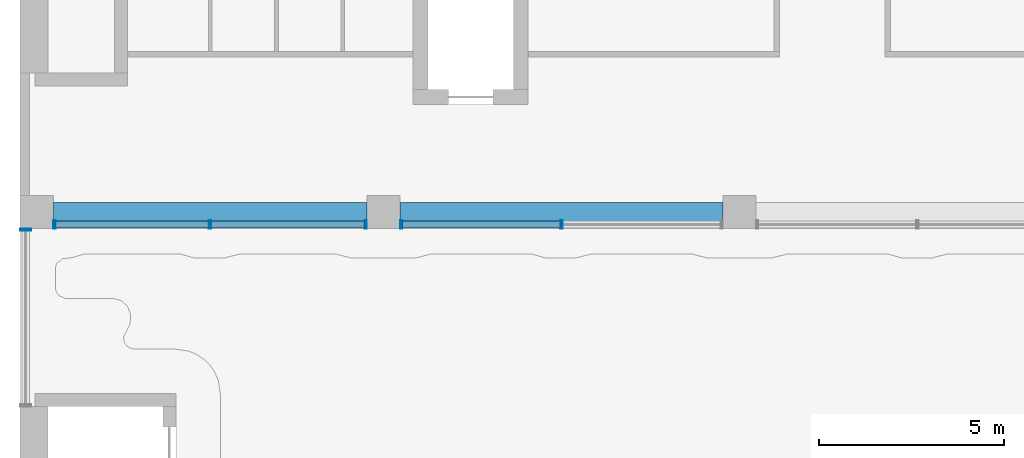
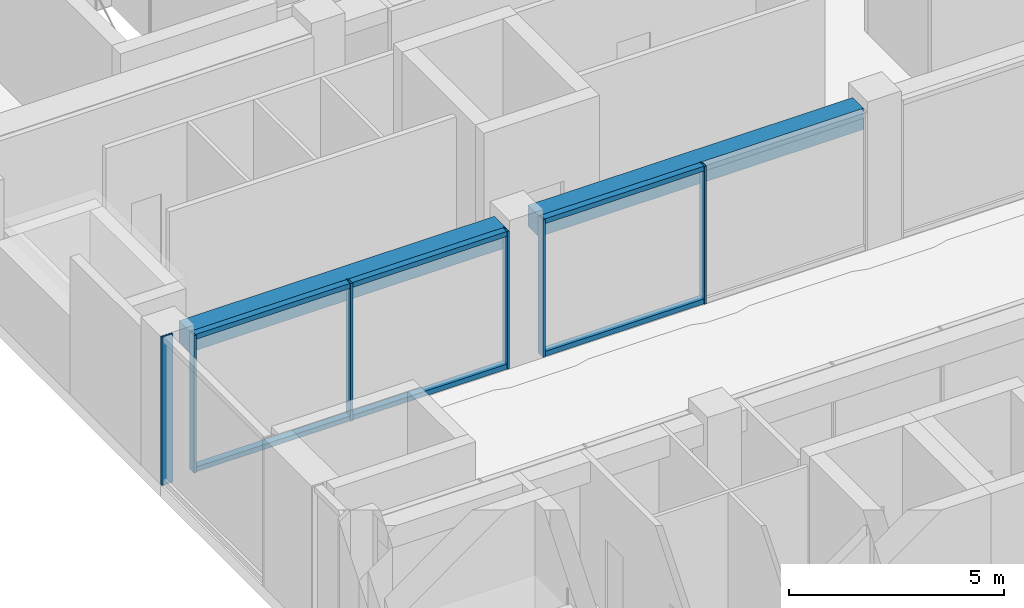
# One storey, part 8 of 72: 12 members, 2 beams, 3 elements without a shape of their own.
"""IFC4 building model written with IfcOpenShell, lengths in metres."""

import ifcopenshell
import ifcopenshell.guid

model = None  # the IFC model being written
_history = None  # IfcOwnerHistory: only IFC2X3 demands one
_inside = {}  # id of a spatial element -> (the spatial element, [elements in it])
_under = {}  # id of a project, library or spatial element -> (it, [spatial elements below it])
_declared = {}  # id of a project -> (the project, [libraries it declares])
_typed = {}  # id of a type object -> (the type object, [elements of that type])
_made_of = {}  # id of a material, layer set ... -> (it, [elements and type objects made of it])


def new_model(schema):
    """Start an empty IFC model of exactly this schema.

    Asked for "IFC4X3", IfcOpenShell would pick the latest addendum, in which some entities
    have other attributes; the version numbers below select the first issue.
    IFC2X3 requires an IfcOwnerHistory on every rooted entity: one is made here for all.
    """
    global model, _history
    if schema == "IFC4X3":
        model = ifcopenshell.file(schema_version=(4, 3, 0, 0))
    else:
        model = ifcopenshell.file(schema=schema)
    _inside.clear()
    _under.clear()
    _declared.clear()
    _typed.clear()
    _made_of.clear()
    _history = None
    if model.schema == "IFC2X3":
        org = make("IfcOrganization", Name="unknown")
        user = make(
            "IfcPersonAndOrganization",
            ThePerson=make("IfcPerson", FamilyName="unknown"),
            TheOrganization=org,
        )
        app = make(
            "IfcApplication",
            ApplicationDeveloper=org,
            Version="unknown",
            ApplicationFullName="unknown",
            ApplicationIdentifier="unknown",
        )
        _history = make(
            "IfcOwnerHistory",
            OwningUser=user,
            OwningApplication=app,
            ChangeAction="ADDED",
            CreationDate=0,
        )
    return model


def make(cls, **values):
    """One entity of the class cls with the attributes given. An attribute that is None is left unset."""
    return model.create_entity(
        cls, **{name: value for name, value in values.items() if value is not None}
    )


def rooted(cls, **values):
    """An entity with a GlobalId (a new one), such as an element, a storey or a relation."""
    return make(cls, GlobalId=ifcopenshell.guid.new(), OwnerHistory=_history, **values)


def si_unit(unit_type, name, prefix=None):
    """IfcSIUnit, for example si_unit("LENGTHUNIT", "METRE", prefix="MILLI")."""
    return make("IfcSIUnit", UnitType=unit_type, Prefix=prefix, Name=name)


def assignment(units):
    """IfcUnitAssignment: the units of a project."""
    return None if units is None else make("IfcUnitAssignment", Units=units)


def point(xyz):
    """IfcCartesianPoint."""
    return None if xyz is None else make("IfcCartesianPoint", Coordinates=xyz)


def direction(xyz):
    """IfcDirection."""
    return None if xyz is None else make("IfcDirection", DirectionRatios=xyz)


def frame(location, z_axis=None, x_axis=None):
    """IfcAxis2Placement3D, a coordinate frame: its origin and axes. An axis left out is left unset."""
    return make(
        "IfcAxis2Placement3D",
        Location=point(location),
        Axis=direction(z_axis),
        RefDirection=direction(x_axis),
    )


def frame_2d(location, x_axis=None):
    """IfcAxis2Placement2D, a coordinate frame in the plane: its origin and x axis."""
    return make(
        "IfcAxis2Placement2D", Location=point(location), RefDirection=direction(x_axis)
    )


def origin():
    """The frame at (0, 0, 0) with its axes left unset."""
    return frame((0.0, 0.0, 0.0))


def origin_2d():
    """The frame at (0, 0) in the plane with its x axis left unset."""
    return frame_2d((0.0, 0.0))


def place(relative_to, where):
    """IfcLocalPlacement: puts the frame where relative to a parent placement (None: the world)."""
    return make(
        "IfcLocalPlacement", PlacementRelTo=relative_to, RelativePlacement=where
    )


def context(
    kind, dimensions, precision=None, world=None, true_north=None, identifier=None
):
    """IfcGeometricRepresentationContext, for example the 3D "Model" context."""
    return make(
        "IfcGeometricRepresentationContext",
        ContextIdentifier=identifier,
        ContextType=kind,
        CoordinateSpaceDimension=dimensions,
        Precision=precision,
        WorldCoordinateSystem=world,
        TrueNorth=true_north,
    )


def subcontext(parent, identifier, kind, view, scale=None):
    """IfcGeometricRepresentationSubContext, for example "Body" below "Model"."""
    return make(
        "IfcGeometricRepresentationSubContext",
        ContextIdentifier=identifier,
        ContextType=kind,
        ParentContext=parent,
        TargetScale=scale,
        TargetView=view,
    )


def project(units=None, contexts=None):
    """IfcProject with its units and contexts."""
    return rooted(
        "IfcProject",
        Name="project",
        RepresentationContexts=contexts,
        UnitsInContext=assignment(units),
    )


def spatial(cls, under=None, at=None, **own):
    """A site, building, storey or space (cls), placed at a placement, below another one or the project."""
    s = rooted(cls, ObjectPlacement=at, **own)
    if under is not None:
        _under.setdefault(under.id(), (under, []))[1].append(s)
    return s


def profile(cls, at=None, kind="AREA", **sizes):
    """A parametric profile (cls). Its sizes go by their IFC names, for example OverallWidth=200.0."""
    return make(cls, ProfileType=kind, Position=at, **sizes)


def rectangle(**sizes):
    """IfcRectangleProfileDef."""
    return profile("IfcRectangleProfileDef", **sizes)


def hollow_rectangle(**sizes):
    """IfcRectangleHollowProfileDef."""
    return profile("IfcRectangleHollowProfileDef", **sizes)


def extrude(swept, where, along, depth):
    """IfcExtrudedAreaSolid: the profile swept, set in the frame where, extruded along a direction by depth."""
    return make(
        "IfcExtrudedAreaSolid",
        SweptArea=swept,
        Position=where,
        ExtrudedDirection=direction(along),
        Depth=depth,
    )


def shape(context_of_items, identifier, shape_type, items):
    """IfcShapeRepresentation: the items that make up one representation, for example the "Body"."""
    return make(
        "IfcShapeRepresentation",
        ContextOfItems=context_of_items,
        RepresentationIdentifier=identifier,
        RepresentationType=shape_type,
        Items=items,
    )


def material(Name=None, Category=None):
    """IfcMaterial."""
    return make("IfcMaterial", Name=Name, Category=Category)


def layer(
    of_material, thickness, ventilated=None, Name=None, Category=None, Priority=None
):
    """IfcMaterialLayer: one layer of a wall or slab, of a material (None: an air gap)."""
    return make(
        "IfcMaterialLayer",
        Material=of_material,
        LayerThickness=thickness,
        IsVentilated=ventilated,
        Name=Name,
        Category=Category,
        Priority=Priority,
    )


def layer_set(layers, Name=None):
    """IfcMaterialLayerSet."""
    return make("IfcMaterialLayerSet", MaterialLayers=layers, LayerSetName=Name)


def material_profile(
    of_material, cross_section, Name=None, Category=None, Priority=None
):
    """IfcMaterialProfile: a cross section and its material."""
    return make(
        "IfcMaterialProfile",
        Name=Name,
        Material=of_material,
        Profile=cross_section,
        Priority=Priority,
        Category=Category,
    )


def profile_set(profiles, Name=None, composite=None):
    """IfcMaterialProfileSet."""
    return make(
        "IfcMaterialProfileSet",
        Name=Name,
        MaterialProfiles=profiles,
        CompositeProfile=composite,
    )


def made_of(thing, what):
    """Note that an element or type object is made of a material, layer set ...; save() writes the relation."""
    if what is not None:
        _made_of.setdefault(what.id(), (what, []))[1].append(thing)
    return thing


def type_object(cls, material=None, **own):
    """A type object (cls), such as IfcWallType, which elements share."""
    return made_of(rooted(cls, **own), material)


def element(
    cls,
    number,
    at=None,
    inside=None,
    cuts=None,
    type_object=None,
    material=None,
    context=None,
    identifier="Body",
    shape_type=None,
    held_by="IfcProductDefinitionShape",
    body=None,
    shapes=None,
    **own,
):
    """One element of the class cls, such as IfcWall. Its Tag is "e" and its number.

    at: its placement. inside: the storey or other place that contains it. cuts: it is an
    opening in that element (IfcRelVoidsElement). A single representation is given by context,
    identifier, shape_type and body (its items); several are given by shapes. held_by: the class
    of the entity that holds the representations. save() writes the other relations.
    """
    e = rooted(cls, Tag="e%d" % number, ObjectPlacement=at, **own)
    if body is not None:
        shapes = [shape(context, identifier, shape_type, body)]
    if shapes is not None:
        e.Representation = make(held_by, Representations=shapes)
    if inside is not None:
        _inside.setdefault(inside.id(), (inside, []))[1].append(e)
    if cuts is not None:
        rooted(
            "IfcRelVoidsElement", RelatingBuildingElement=cuts, RelatedOpeningElement=e
        )
    if type_object is not None:
        _typed.setdefault(type_object.id(), (type_object, []))[1].append(e)
    return made_of(e, material)


def aggregate(whole, parts):
    """IfcRelAggregates: a whole, such as a stair, and the parts it consists of."""
    return rooted("IfcRelAggregates", RelatingObject=whole, RelatedObjects=parts)


def save(model, path):
    """Write the relations noted so far, then the file.

    IfcRelAggregates (storeys below a building ...), IfcRelContainedInSpatialStructure (elements
    in a storey), IfcRelDefinesByType, IfcRelAssociatesMaterial and IfcRelDeclares: one each for
    every whole, place, type object, material and project.
    """
    for whole, parts in _under.values():
        aggregate(whole, parts)
    for where, things in _inside.values():
        rooted(
            "IfcRelContainedInSpatialStructure",
            RelatedElements=things,
            RelatingStructure=where,
        )
    for kind, things in _typed.values():
        rooted("IfcRelDefinesByType", RelatedObjects=things, RelatingType=kind)
    for what, things in _made_of.values():
        rooted("IfcRelAssociatesMaterial", RelatedObjects=things, RelatingMaterial=what)
    for by, libraries in _declared.values():
        rooted("IfcRelDeclares", RelatingContext=by, RelatedDefinitions=libraries)
    model.write(path)


model = new_model("IFC4")

# Units and contexts
model_context = context("Model", 3, precision=1e-05, world=origin(), true_north=direction((0.0, 1.0)))
body_context = subcontext(model_context, "Body", "Model", "MODEL_VIEW")
ifc_project = project(units=[si_unit("LENGTHUNIT", "METRE"), si_unit("AREAUNIT", "SQUARE_METRE"), si_unit("VOLUMEUNIT", "CUBIC_METRE"), si_unit("PLANEANGLEUNIT", "RADIAN"), si_unit("MASSUNIT", "GRAM", prefix="KILO")], contexts=[model_context])

# Site, building, storey
site_placement = place(None, origin())
site = spatial("IfcSite", under=ifc_project, at=site_placement, CompositionType="ELEMENT")
building_placement = place(site_placement, origin())
building = spatial("IfcBuilding", under=site, at=building_placement, Name="Nzadi Deep Aquarium and Research Tower", CompositionType="ELEMENT")
storey_placement = place(building_placement, frame((0.0, 0.0, 31.89990234375)))
storey = spatial("IfcBuildingStorey", under=building, at=storey_placement, Name="L05", CompositionType="ELEMENT", Elevation=31.89990234375)

# Curtain wall, members
ifc_material_1 = material(Name="Aluminium unitised frame deep", Category="aluminium")
ifc_layer_1 = layer(ifc_material_1, 0.22509765625)
ifc_layer_set_1 = layer_set([ifc_layer_1], Name="Aluminium unitised frame deep")
curtain_wall_type_1 = type_object("IfcCurtainWallType", Name="Curtain wall Unitised Deep 225", PredefinedType="NOTDEFINED", material=ifc_layer_set_1)
curtain_wall_1_placement = place(storey_placement, origin())
curtain_wall_1 = element("IfcCurtainWall", 1, at=curtain_wall_1_placement, inside=storey, type_object=curtain_wall_type_1, Name="Unitised curtain wall blade B south L05", PredefinedType="NOTDEFINED")
ifc_material_2 = material(Name="Aluminium unitised frame deep", Category="aluminium")
ifc_material_profile_1 = material_profile(ifc_material_2, hollow_rectangle(XDim=0.22509765625, YDim=0.06005859375, WallThickness=0.0048828125, at=origin_2d()))
ifc_profile_set_1 = profile_set([ifc_material_profile_1], Name="Aluminium unitised frame deep")
member_type_1 = type_object("IfcMemberType", Name="Mullion 60x225 Unitised Deep", PredefinedType="MULLION", material=ifc_profile_set_1)
member_1_placement = place(storey_placement, frame((0.72998046875, 27.262451171875, 0.0), z_axis=(0.0, 0.0, 1.0), x_axis=(0.0, 1.0, 0.0)))
member_1 = element("IfcMember", 2, at=member_1_placement, type_object=member_type_1, Name="CW078 mullion 1", PredefinedType="MULLION", context=body_context, shape_type="SweptSolid", body=[
    extrude(hollow_rectangle(XDim=0.22509765625, YDim=0.06005859375, WallThickness=0.0048828125, at=origin_2d()), origin(), (0.0, 0.0, 1.0), 3.900146484375),
])
member_2_placement = place(storey_placement, frame((4.925048828125, 27.262451171875, 0.0), z_axis=(0.0, 0.0, 1.0), x_axis=(0.0, 1.0, 0.0)))
member_2 = element("IfcMember", 3, at=member_2_placement, type_object=member_type_1, Name="CW078 mullion 2", PredefinedType="MULLION", context=body_context, shape_type="SweptSolid", body=[
    extrude(hollow_rectangle(XDim=0.22509765625, YDim=0.06005859375, WallThickness=0.0048828125, at=origin_2d()), origin(), (0.0, 0.0, 1.0), 3.900146484375),
])
member_3_placement = place(storey_placement, frame((9.1201171875, 27.262451171875, 0.0), z_axis=(0.0, 0.0, 1.0), x_axis=(0.0, 1.0, 0.0)))
member_3 = element("IfcMember", 4, at=member_3_placement, type_object=member_type_1, Name="CW078 mullion 3", PredefinedType="MULLION", context=body_context, shape_type="SweptSolid", body=[
    extrude(hollow_rectangle(XDim=0.22509765625, YDim=0.06005859375, WallThickness=0.0048828125, at=origin_2d()), origin(), (0.0, 0.0, 1.0), 3.900146484375),
])

curtain_wall_2_placement = place(storey_placement, origin())
curtain_wall_2 = element("IfcCurtainWall", 5, at=curtain_wall_2_placement, inside=storey, type_object=curtain_wall_type_1, Name="Unitised curtain wall blade B south L05", PredefinedType="NOTDEFINED")
member_4_placement = place(storey_placement, frame((10.080078125, 27.262451171875, 0.0), z_axis=(0.0, 0.0, 1.0), x_axis=(0.0, 1.0, 0.0)))
member_4 = element("IfcMember", 6, at=member_4_placement, type_object=member_type_1, Name="CW079 mullion 1", PredefinedType="MULLION", context=body_context, shape_type="SweptSolid", body=[
    extrude(hollow_rectangle(XDim=0.22509765625, YDim=0.06005859375, WallThickness=0.0048828125, at=origin_2d()), origin(), (0.0, 0.0, 1.0), 3.900146484375),
])
member_5_placement = place(storey_placement, frame((14.39990234375, 27.262451171875, 0.0), z_axis=(0.0, 0.0, 1.0), x_axis=(0.0, 1.0, 0.0)))
member_5 = element("IfcMember", 7, at=member_5_placement, type_object=member_type_1, Name="CW079 mullion 2", PredefinedType="MULLION", context=body_context, shape_type="SweptSolid", body=[
    extrude(hollow_rectangle(XDim=0.22509765625, YDim=0.06005859375, WallThickness=0.0048828125, at=origin_2d()), origin(), (0.0, 0.0, 1.0), 3.900146484375),
])

# Curtain wall, member
ifc_material_3 = material(Name="Aluminium unitised frame wind post", Category="aluminium")
ifc_layer_2 = layer(ifc_material_3, 0.300048828125)
ifc_layer_set_2 = layer_set([ifc_layer_2], Name="Aluminium unitised frame wind post")
curtain_wall_type_2 = type_object("IfcCurtainWallType", Name="Curtain wall Slot End 300", PredefinedType="NOTDEFINED", material=ifc_layer_set_2)
curtain_wall_3_placement = place(storey_placement, origin())
curtain_wall_3 = element("IfcCurtainWall", 8, at=curtain_wall_3_placement, inside=storey, type_object=curtain_wall_type_2, Name="Glazed slot end west L05", PredefinedType="NOTDEFINED")
ifc_material_4 = material(Name="Aluminium unitised frame wind post", Category="aluminium")
ifc_material_profile_2 = material_profile(ifc_material_4, hollow_rectangle(XDim=0.300048828125, YDim=0.06005859375, WallThickness=0.0048828125, at=origin_2d()))
ifc_profile_set_2 = profile_set([ifc_material_profile_2], Name="Aluminium unitised frame wind post")
member_type_2 = type_object("IfcMemberType", Name="Mullion 60x300 Slot End", PredefinedType="MULLION", material=ifc_profile_set_2)
member_6_placement = place(storey_placement, frame((-0.049560546875, 27.1201171875, 0.0), z_axis=(0.0, 0.0, 1.0), x_axis=(-1.0, 0.0, 0.0)))
member_6 = element("IfcMember", 9, at=member_6_placement, type_object=member_type_2, Name="CW201 mullion 2", PredefinedType="MULLION", context=body_context, shape_type="SweptSolid", body=[
    extrude(hollow_rectangle(XDim=0.300048828125, YDim=0.06005859375, WallThickness=0.0048828125, at=origin_2d()), origin(), (0.0, 0.0, 1.0), 4.2001953125),
])
aggregate(curtain_wall_3, [member_6])

# Beams
ifc_material_5 = material(Name="Concrete C35/45", Category="concrete")
ifc_material_profile_3 = material_profile(ifc_material_5, rectangle(XDim=0.5, YDim=0.60009765625, at=origin_2d()))
ifc_profile_set_3 = profile_set([ifc_material_profile_3], Name="Concrete C35/45")
beam_type = type_object("IfcBeamType", Name="RC 500x600", PredefinedType="BEAM", material=ifc_profile_set_3)
beam_1_placement = place(storey_placement, frame((0.699951171875, 27.60009765625, 3.60009765625), z_axis=(1.0, 0.0, 0.0), x_axis=(0.0, 1.0, 0.0)))
element("IfcBeam", 10, at=beam_1_placement, inside=storey, type_object=beam_type, Name="B-Z1-L05-L4-1", PredefinedType="BEAM", context=body_context, shape_type="SweptSolid", body=[
    extrude(rectangle(XDim=0.5, YDim=0.60009765625, at=origin_2d()), origin(), (0.0, 0.0, 1.0), 8.449951171875),
])
beam_2_placement = place(storey_placement, frame((10.050048828125, 27.60009765625, 3.60009765625), z_axis=(1.0, 0.0, 0.0), x_axis=(0.0, 1.0, 0.0)))
element("IfcBeam", 11, at=beam_2_placement, inside=storey, type_object=beam_type, Name="B-Z1-L05-L4-2", PredefinedType="BEAM", context=body_context, shape_type="SweptSolid", body=[
    extrude(rectangle(XDim=0.5, YDim=0.60009765625, at=origin_2d()), origin(), (0.0, 0.0, 1.0), 8.699951171875),
])

# Member
ifc_material_6 = material(Name="Aluminium unitised frame deep", Category="aluminium")
ifc_material_profile_4 = material_profile(ifc_material_6, hollow_rectangle(XDim=0.179931640625, YDim=0.139892578125, WallThickness=0.0048828125, at=origin_2d()))
ifc_profile_set_4 = profile_set([ifc_material_profile_4], Name="Aluminium unitised frame deep")
member_type_3 = type_object("IfcMemberType", Name="Transom 140x180 Unitised Deep", PredefinedType="MULLION", material=ifc_profile_set_4)
member_7_placement = place(storey_placement, frame((0.760009765625, 27.262451171875, 0.070068359375), z_axis=(1.0, 0.0, 0.0), x_axis=(0.0, 1.0, 0.0)))
member_7 = element("IfcMember", 12, at=member_7_placement, type_object=member_type_3, Name="CW078 transom 1.1", PredefinedType="MULLION", context=body_context, shape_type="SweptSolid", body=[
    extrude(hollow_rectangle(XDim=0.179931640625, YDim=0.139892578125, WallThickness=0.0048828125, at=origin_2d()), origin(), (0.0, 0.0, 1.0), 4.135009765625),
])

member_8_placement = place(storey_placement, frame((0.760009765625, 27.262451171875, 3.830078125), z_axis=(1.0, 0.0, 0.0), x_axis=(0.0, 1.0, 0.0)))
member_8 = element("IfcMember", 13, at=member_8_placement, type_object=member_type_3, Name="CW078 transom 1.2", PredefinedType="MULLION", context=body_context, shape_type="SweptSolid", body=[
    extrude(hollow_rectangle(XDim=0.179931640625, YDim=0.139892578125, WallThickness=0.0048828125, at=origin_2d()), origin(), (0.0, 0.0, 1.0), 4.135009765625),
])

member_9_placement = place(storey_placement, frame((4.955078125, 27.262451171875, 0.070068359375), z_axis=(1.0, 0.0, 0.0), x_axis=(0.0, 1.0, 0.0)))
member_9 = element("IfcMember", 14, at=member_9_placement, type_object=member_type_3, Name="CW078 transom 2.1", PredefinedType="MULLION", context=body_context, shape_type="SweptSolid", body=[
    extrude(hollow_rectangle(XDim=0.179931640625, YDim=0.139892578125, WallThickness=0.0048828125, at=origin_2d()), origin(), (0.0, 0.0, 1.0), 4.135009765625),
])

member_10_placement = place(storey_placement, frame((4.955078125, 27.262451171875, 3.830078125), z_axis=(1.0, 0.0, 0.0), x_axis=(0.0, 1.0, 0.0)))
member_10 = element("IfcMember", 15, at=member_10_placement, type_object=member_type_3, Name="CW078 transom 2.2", PredefinedType="MULLION", context=body_context, shape_type="SweptSolid", body=[
    extrude(hollow_rectangle(XDim=0.179931640625, YDim=0.139892578125, WallThickness=0.0048828125, at=origin_2d()), origin(), (0.0, 0.0, 1.0), 4.135009765625),
])

aggregate(curtain_wall_1, [member_1, member_2, member_3, member_7, member_8, member_9, member_10])

member_11_placement = place(storey_placement, frame((10.110107421875, 27.262451171875, 0.070068359375), z_axis=(1.0, 0.0, 0.0), x_axis=(0.0, 1.0, 0.0)))
member_11 = element("IfcMember", 16, at=member_11_placement, type_object=member_type_3, Name="CW079 transom 1.1", PredefinedType="MULLION", context=body_context, shape_type="SweptSolid", body=[
    extrude(hollow_rectangle(XDim=0.179931640625, YDim=0.139892578125, WallThickness=0.0048828125, at=origin_2d()), origin(), (0.0, 0.0, 1.0), 4.260009765625),
])

member_12_placement = place(storey_placement, frame((10.110107421875, 27.262451171875, 3.830078125), z_axis=(1.0, 0.0, 0.0), x_axis=(0.0, 1.0, 0.0)))
member_12 = element("IfcMember", 17, at=member_12_placement, type_object=member_type_3, Name="CW079 transom 1.2", PredefinedType="MULLION", context=body_context, shape_type="SweptSolid", body=[
    extrude(hollow_rectangle(XDim=0.179931640625, YDim=0.139892578125, WallThickness=0.0048828125, at=origin_2d()), origin(), (0.0, 0.0, 1.0), 4.260009765625),
])

aggregate(curtain_wall_2, [member_4, member_5, member_11, member_12])

save(model, "model.ifc")
